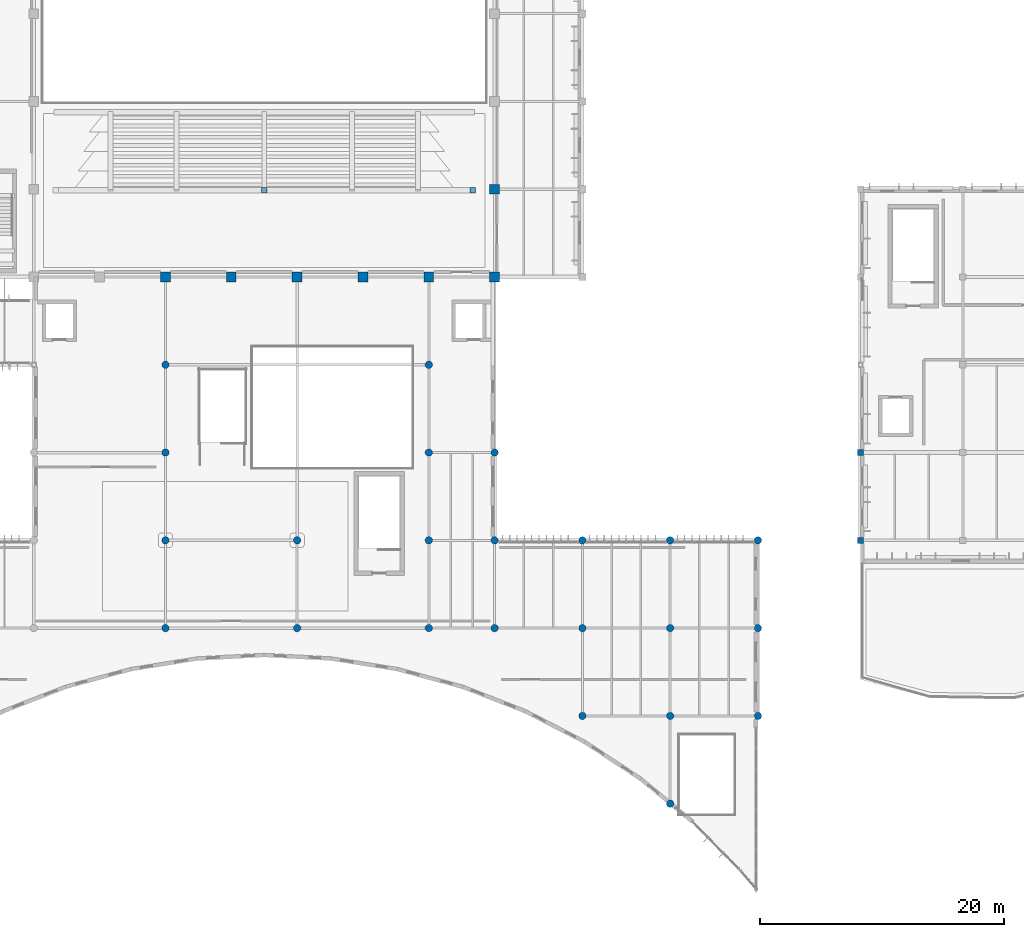
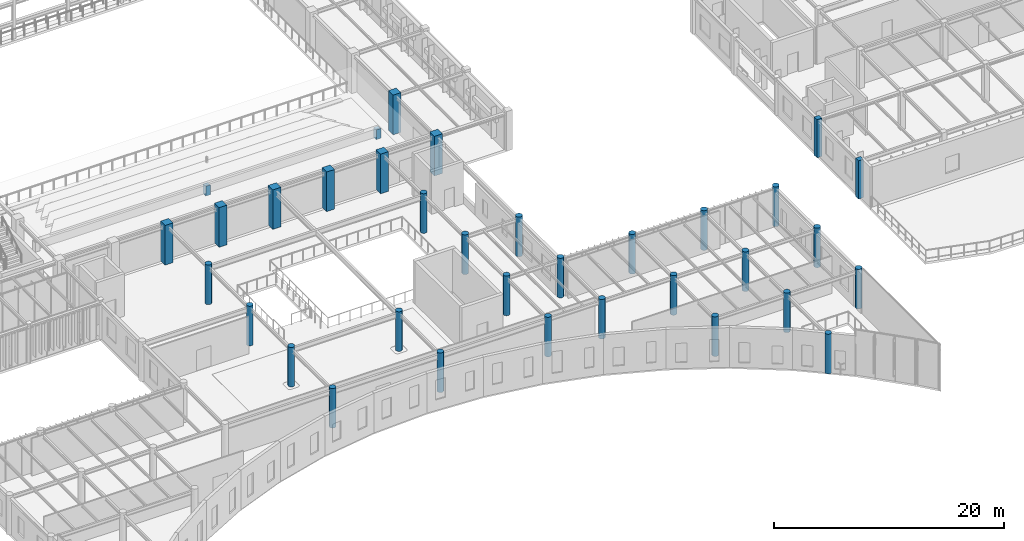
# One storey, part 4 of 104: 34 columns.
"""IFC4 building model written with IfcOpenShell, lengths in metres."""

from ifc_helpers import new_model, si_unit, direction, frame, origin, origin_2d, place, context, subcontext, project, spatial, rectangle, circle, extrude, material, material_profile, profile_set, type_object, element, save


model = new_model("IFC4")

# Units and contexts
model_context = context("Model", 3, precision=1e-05, world=origin(), true_north=direction((0.0, 1.0)))
body_context = subcontext(model_context, "Body", "Model", "MODEL_VIEW")
ifc_project = project(units=[si_unit("LENGTHUNIT", "METRE"), si_unit("AREAUNIT", "SQUARE_METRE"), si_unit("VOLUMEUNIT", "CUBIC_METRE"), si_unit("PLANEANGLEUNIT", "RADIAN"), si_unit("MASSUNIT", "GRAM", prefix="KILO")], contexts=[model_context])

# Site, building, storey
site_placement = place(None, origin())
site = spatial("IfcSite", under=ifc_project, at=site_placement, CompositionType="ELEMENT")
building_placement = place(site_placement, origin())
building = spatial("IfcBuilding", under=site, at=building_placement, Name="Tazoul Stagehouse", CompositionType="ELEMENT")
storey_placement = place(building_placement, frame((0.0, 0.0, 9.0)))
storey = spatial("IfcBuildingStorey", under=building, at=storey_placement, Name="L02", CompositionType="ELEMENT", Elevation=9.0)

# Columns
ifc_material = material(Name="Concrete C40/50", Category="concrete")
ifc_material_profile_1 = material_profile(ifc_material, circle(Radius=0.300048828125, at=origin_2d()), Name="RC D600")
ifc_profile_set_1 = profile_set([ifc_material_profile_1], Name="Concrete C40/50")
column_type_1 = type_object("IfcColumnType", Name="RC Circular Column D600", PredefinedType="COLUMN", material=ifc_profile_set_1)
for number, where, z_axis, x_axis, name in (
    (1, (68.39990234375, 23.0, 0.0), (0.0, 0.0, 1.0), (1.0, 0.0, 0.0), "L02 Column C-07 at 10/D"),
    (2, (68.39990234375, 30.199951171875, 0.0), (0.0, 0.0, 1.0), (1.0, 0.0, 0.0), "L02 Column C-07 at 10/E"),
    (3, (68.39990234375, 37.39990234375, 0.0), (0.0, 0.0, 1.0), (1.0, 0.0, 0.0), "L02 Column C-07 at 10/F"),
    (4, (68.39990234375, 44.60009765625, 0.0), (0.0, 0.0, 1.0), (1.0, 0.0, 0.0), "L02 Column C-07 at 10/G"),
    (5, (79.199951171875, 23.0, 0.0), (0.0, 0.0, 1.0), (1.0, 0.0, 0.0), "L02 Column C-07 at 12/D"),
    (6, (79.199951171875, 30.199951171875, 0.0), (0.0, 0.0, 1.0), (1.0, 0.0, 0.0), "L02 Column C-07 at 12/E"),
    (7, (90.0, 23.0, 0.0), (0.0, 0.0, 1.0), (1.0, 0.0, 0.0), "L02 Column C-07 at 14/D"),
    (8, (90.0, 30.199951171875, 0.0), (0.0, 0.0, 1.0), (1.0, 0.0, 0.0), "L02 Column C-07 at 14/E"),
    (9, (90.0, 37.39990234375, 0.0), (0.0, 0.0, 1.0), (1.0, 0.0, 0.0), "L02 Column C-07 at 14/F"),
    (10, (90.0, 44.60009765625, 0.0), (0.0, 0.0, 1.0), (1.0, 0.0, 0.0), "L02 Column C-07 at 14/G"),
    (11, (95.39990234375, 23.0, 0.0), (0.0, 0.0, 1.0), (1.0, 0.0, 0.0), "L02 Column C-07 at 15/D"),
    (12, (102.60009765625, 15.800048828125, 0.0), (0.0, 0.0, 1.0), (1.0, 0.0, 0.0), "L02 Column C-07 at 16/C"),
    (13, (102.60009765625, 23.0, 0.0), (0.0, 0.0, 1.0), (1.0, 0.0, 0.0), "L02 Column C-07 at 16/D"),
    (14, (109.800048828125, 15.800048828125, 0.0), (0.0, 0.0, 1.0), (1.0, 0.0, 0.0), "L02 Column C-07 at 17/C"),
    (15, (109.800048828125, 23.0, 0.0), (0.0, 0.0, 1.0), (1.0, 0.0, 0.0), "L02 Column C-07 at 17/D"),
):
    element("IfcColumn", number, at=place(storey_placement, frame(where, z_axis=z_axis, x_axis=x_axis)), inside=storey, type_object=column_type_1, Name=name, PredefinedType="COLUMN", context=body_context, shape_type="SweptSolid", body=[
        extrude(circle(Radius=0.300048828125, at=origin_2d()), origin(), (0.0, 0.0, 1.0), 4.199951171875),
    ])
ifc_material_profile_2 = material_profile(ifc_material, circle(Radius=0.300048828125, at=origin_2d()), Name="RC D600")
ifc_profile_set_2 = profile_set([ifc_material_profile_2], Name="Concrete C40/50")
column_type_2 = type_object("IfcColumnType", Name="RC Circular Column D600 (Exterior)", PredefinedType="COLUMN", material=ifc_profile_set_2)
for number, where, z_axis, x_axis, name in (
    (16, (95.39990234375, 30.199951171875, 0.0), (0.0, 0.0, 1.0), (1.0, 0.0, 0.0), "L02 Column C-07E at 15/E"),
    (17, (95.39990234375, 37.39990234375, 0.0), (0.0, 0.0, 1.0), (1.0, 0.0, 0.0), "L02 Column C-07E at 15/F"),
    (18, (102.60009765625, 30.199951171875, 0.0), (0.0, 0.0, 1.0), (1.0, 0.0, 0.0), "L02 Column C-07E at 16/E"),
    (19, (109.800048828125, 8.60009765625, 0.0), (0.0, 0.0, 1.0), (1.0, 0.0, 0.0), "L02 Column C-07E at 17/B"),
    (20, (109.800048828125, 30.199951171875, 0.0), (0.0, 0.0, 1.0), (1.0, 0.0, 0.0), "L02 Column C-07E at 17/E"),
    (21, (117.0, 15.800048828125, 0.0), (0.0, 0.0, 1.0), (1.0, 0.0, 0.0), "L02 Column C-07E at 18/C"),
    (22, (117.0, 23.0, 0.0), (0.0, 0.0, 1.0), (1.0, 0.0, 0.0), "L02 Column C-07E at 18/D"),
    (23, (117.0, 30.199951171875, 0.0), (0.0, 0.0, 1.0), (1.0, 0.0, 0.0), "L02 Column C-07E at 18/E"),
):
    element("IfcColumn", number, at=place(storey_placement, frame(where, z_axis=z_axis, x_axis=x_axis)), inside=storey, type_object=column_type_2, Name=name, PredefinedType="COLUMN", context=body_context, shape_type="SweptSolid", body=[
        extrude(circle(Radius=0.300048828125, at=origin_2d()), origin(), (0.0, 0.0, 1.0), 4.199951171875),
    ])
ifc_material_profile_3 = material_profile(ifc_material, rectangle(XDim=0.449951171875, YDim=0.449951171875, at=origin_2d()), Name="RC 450x450")
ifc_profile_set_3 = profile_set([ifc_material_profile_3], Name="Concrete C40/50")
column_type_3 = type_object("IfcColumnType", Name="RC Column 450x450", PredefinedType="COLUMN", material=ifc_profile_set_3)
for number, where, z_axis, x_axis, name in (
    (24, (76.5, 58.89990234375, 0.0), (0.0, 0.0, 1.0), (1.0, 0.0, 0.0), "L02 Bowl Support Column C-01 (V1-UPPER-RER-2)"),
    (25, (93.60009765625, 58.89990234375, 0.0), (0.0, 0.0, 1.0), (1.0, 0.0, 0.0), "L02 Bowl Support Column C-01 (V1-UPPER-RER-3)"),
):
    element("IfcColumn", number, at=place(storey_placement, frame(where, z_axis=z_axis, x_axis=x_axis)), inside=storey, type_object=column_type_3, Name=name, PredefinedType="COLUMN", context=body_context, shape_type="SweptSolid", body=[
        extrude(rectangle(XDim=0.449951171875, YDim=0.449951171875, at=origin_2d()), origin(), (0.0, 0.0, 1.0), 1.050048828125),
    ])
ifc_material_profile_4 = material_profile(ifc_material, rectangle(XDim=0.5, YDim=0.5, at=origin_2d()), Name="RC 500x500")
ifc_profile_set_4 = profile_set([ifc_material_profile_4], Name="Concrete C40/50")
column_type_4 = type_object("IfcColumnType", Name="RC Column 500x500 (Exterior)", PredefinedType="COLUMN", material=ifc_profile_set_4)
for number, where, z_axis, x_axis, name in (
    (26, (125.39990234375, 30.199951171875, 0.0), (0.0, 0.0, 1.0), (1.0, 0.0, 0.0), "L02 Column C-02E at 19/E"),
    (27, (125.39990234375, 37.39990234375, 0.0), (0.0, 0.0, 1.0), (1.0, 0.0, 0.0), "L02 Column C-02E at 19/F"),
):
    element("IfcColumn", number, at=place(storey_placement, frame(where, z_axis=z_axis, x_axis=x_axis)), inside=storey, type_object=column_type_4, Name=name, PredefinedType="COLUMN", context=body_context, shape_type="SweptSolid", body=[
        extrude(rectangle(XDim=0.5, YDim=0.5, at=origin_2d()), origin(), (0.0, 0.0, 1.0), 4.06005859375),
    ])
ifc_material_profile_5 = material_profile(ifc_material, rectangle(XDim=0.800048828125, YDim=0.800048828125, at=origin_2d()), Name="RC 800x800")
ifc_profile_set_5 = profile_set([ifc_material_profile_5], Name="Concrete C40/50")
column_type_5 = type_object("IfcColumnType", Name="RC Column 800x800", PredefinedType="COLUMN", material=ifc_profile_set_5)
for number, where, z_axis, x_axis, name in (
    (28, (68.39990234375, 51.800048828125, 0.0), (0.0, 0.0, 1.0), (1.0, 0.0, 0.0), "L02 Column C-05 at 10/H"),
    (29, (73.800048828125, 51.800048828125, 0.0), (0.0, 0.0, 1.0), (1.0, 0.0, 0.0), "L02 Column C-05 at 11/H"),
    (30, (79.199951171875, 51.800048828125, 0.0), (0.0, 0.0, 1.0), (1.0, 0.0, 0.0), "L02 Column C-05 at 12/H"),
    (31, (84.60009765625, 51.800048828125, 0.0), (0.0, 0.0, 1.0), (1.0, 0.0, 0.0), "L02 Column C-05 at 13/H"),
    (32, (90.0, 51.800048828125, 0.0), (0.0, 0.0, 1.0), (1.0, 0.0, 0.0), "L02 Column C-05 at 14/H"),
    (33, (95.39990234375, 59.0, 0.0), (0.0, 0.0, 1.0), (1.0, 0.0, 0.0), "L02 Column C-05 at 15/J"),
):
    element("IfcColumn", number, at=place(storey_placement, frame(where, z_axis=z_axis, x_axis=x_axis)), inside=storey, type_object=column_type_5, Name=name, PredefinedType="COLUMN", context=body_context, shape_type="SweptSolid", body=[
        extrude(rectangle(XDim=0.800048828125, YDim=0.800048828125, at=origin_2d()), origin(), (0.0, 0.0, 1.0), 4.199951171875),
    ])
ifc_material_profile_6 = material_profile(ifc_material, rectangle(XDim=0.800048828125, YDim=0.800048828125, at=origin_2d()), Name="RC 800x800")
ifc_profile_set_6 = profile_set([ifc_material_profile_6], Name="Concrete C40/50")
column_type_6 = type_object("IfcColumnType", Name="RC Column 800x800 (Exterior)", PredefinedType="COLUMN", material=ifc_profile_set_6)
column_placement = place(storey_placement, frame((95.39990234375, 51.800048828125, 0.0), z_axis=(0.0, 0.0, 1.0), x_axis=(1.0, 0.0, 0.0)))
element("IfcColumn", 34, at=column_placement, inside=storey, type_object=column_type_6, Name="L02 Column C-05E at 15/H", PredefinedType="COLUMN", context=body_context, shape_type="SweptSolid", body=[
    extrude(rectangle(XDim=0.800048828125, YDim=0.800048828125, at=origin_2d()), origin(), (0.0, 0.0, 1.0), 4.199951171875),
])

save(model, "model.ifc")
